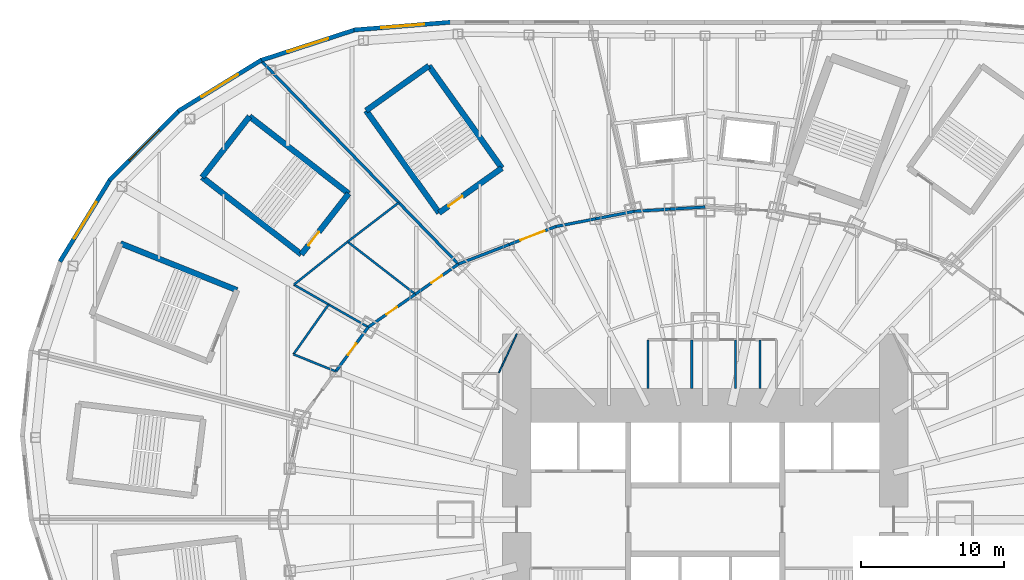
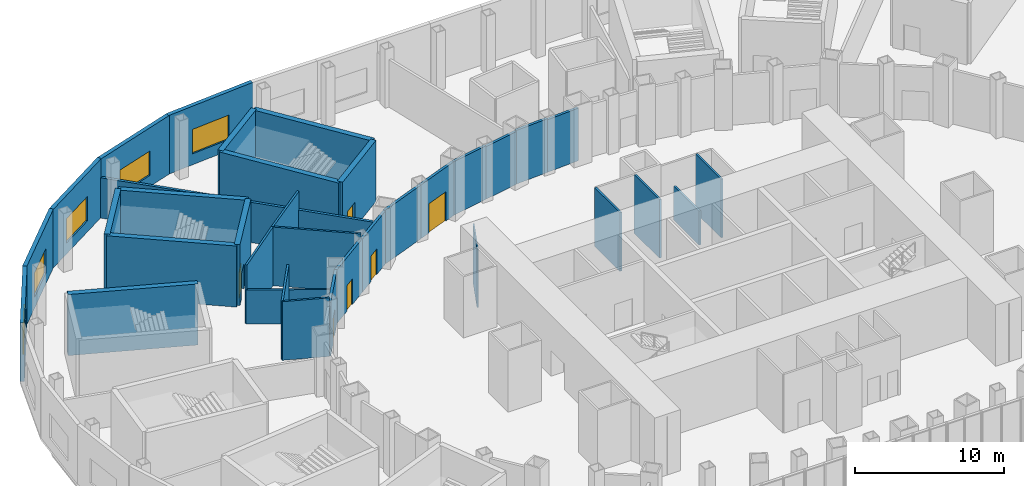
# One storey, part 15 of 73: 35 walls, 6 doors, 5 windows, 11 openings.
"""IFC4 building model written with IfcOpenShell, lengths in metres."""

from ifc_helpers import new_model, si_unit, direction, frame, frame_2d, origin, place, context, subcontext, project, spatial, rectangle, extrude, material, layer, layer_set, type_object, element, fill, save


model = new_model("IFC4")

# Units and contexts
model_context = context("Model", 3, precision=1e-05, world=origin(), true_north=direction((0.0, 1.0)))
body_context = subcontext(model_context, "Body", "Model", "MODEL_VIEW")
ifc_project = project(units=[si_unit("LENGTHUNIT", "METRE"), si_unit("AREAUNIT", "SQUARE_METRE"), si_unit("VOLUMEUNIT", "CUBIC_METRE"), si_unit("PLANEANGLEUNIT", "RADIAN"), si_unit("MASSUNIT", "GRAM", prefix="KILO")], contexts=[model_context])

# Site, building, storey
site_placement = place(None, origin())
site = spatial("IfcSite", under=ifc_project, at=site_placement, CompositionType="ELEMENT")
building_placement = place(site_placement, origin())
building = spatial("IfcBuilding", under=site, at=building_placement, Name="Lantaw Convention Tower", CompositionType="ELEMENT")
storey_placement = place(building_placement, frame((0.0, 0.0, 27.0)))
storey = spatial("IfcBuildingStorey", under=building, at=storey_placement, Name="L04", CompositionType="ELEMENT", Elevation=27.0)

# Wall
ifc_material_1 = material(Name="Gypsum board on steel studs, acoustic", Category="steel")
ifc_layer_1 = layer(ifc_material_1, 0.10009765625)
ifc_layer_set_1 = layer_set([ifc_layer_1], Name="Office partition 100")
wall_type_1 = type_object("IfcWallType", Name="Office partition 100", PredefinedType="PARTITIONING", material=ifc_layer_set_1)
wall_1_placement = place(storey_placement, frame((-13.199951171875, 13.0, 0.0), z_axis=(0.0, 0.0, 1.0), x_axis=(-0.420129824888, -0.907464010437, 0.0)))
element("IfcWall", 1, at=wall_1_placement, inside=storey, type_object=wall_type_1, Name="Office partition 100", PredefinedType="PARTITIONING", context=body_context, shape_type="SweptSolid", body=[
    extrude(rectangle(XDim=2.975341796875, YDim=0.10009765625, at=frame_2d((1.48779296875, 0.0))), origin(), (0.0, 0.0, 1.0), 4.800048828125),
])

# Wall, opening, window
ifc_material_2 = material(Name="Precast concrete panel, pale aluminium rainscreen", Category="concrete")
ifc_layer_2 = layer(ifc_material_2, 0.300048828125)
ifc_layer_set_2 = layer_set([ifc_layer_2], Name="Podium external wall 300")
wall_type_2 = type_object("IfcWallType", Name="Podium external wall 300", PredefinedType="SOLIDWALL", material=ifc_layer_set_2)
wall_2_placement = place(storey_placement, frame((-17.781494140625, 34.853759765625, 0.0), z_axis=(0.0, 0.0, 1.0), x_axis=(-0.996791084449, -0.080047073422, 0.0)))
wall_2 = element("IfcWall", 2, at=wall_2_placement, inside=storey, type_object=wall_type_2, Name="Podium facade wall", PredefinedType="SOLIDWALL", context=body_context, shape_type="SweptSolid", body=[
    extrude(rectangle(XDim=6.84716796875, YDim=0.300048828125, at=frame_2d((3.423583984375, 0.0))), origin(), (0.0, 0.0, 1.0), 4.800048828125),
])
opening_1_placement = place(wall_2_placement, frame((1.923583984375, 0.0, 0.89990234375)))
opening_1 = element("IfcOpeningElement", 3, at=opening_1_placement, cuts=wall_2, Name="Opening W3", PredefinedType="OPENING", context=body_context, shape_type="SweptSolid", body=[
    extrude(rectangle(XDim=3.0, YDim=2.0, at=frame_2d((1.5, 1.0))), frame((0.0, 0.159912109375, 0.0), z_axis=(0.0, -1.0, 0.0), x_axis=(1.0, 0.0, 0.0)), (0.0, 0.0, 1.0), 0.320068359375),
])
ifc_material_3 = material(Name="Aluminium frame, clear insulating glass", Category="aluminium")
window_type = type_object("IfcWindowType", Name="Podium window 3000x2000", PartitioningType="DOUBLE_PANEL_VERTICAL", PredefinedType="WINDOW", material=ifc_material_3)
window_1_placement = place(opening_1_placement, origin())
window_1 = element("IfcWindow", 4, at=window_1_placement, inside=storey, type_object=window_type, Name="Podium window", OverallHeight=2.0, OverallWidth=3.0, PartitioningType="SINGLE_PANEL", PredefinedType="WINDOW", context=body_context, shape_type="SweptSolid", body=[
    extrude(rectangle(XDim=3.0, YDim=2.0, at=frame_2d((1.5, 1.0))), frame((0.0, 0.030029296875, 0.0), z_axis=(0.0, -1.0, 0.0), x_axis=(1.0, 0.0, 0.0)), (0.0, 0.0, 1.0), 0.06005859375),
])
fill(opening_1, window_1)

wall_3_placement = place(storey_placement, frame((-24.49462890625, 34.327880859375, 0.0), z_axis=(0.0, 0.0, 1.0), x_axis=(-0.951140010357, -0.308759907853, 0.0)))
wall_3 = element("IfcWall", 5, at=wall_3_placement, inside=storey, type_object=wall_type_2, Name="Podium facade wall", PredefinedType="SOLIDWALL", context=body_context, shape_type="SweptSolid", body=[
    extrude(rectangle(XDim=7.041259765625, YDim=0.300048828125, at=frame_2d((3.5205078125, 0.0))), origin(), (0.0, 0.0, 1.0), 4.800048828125),
])
opening_2_placement = place(wall_3_placement, frame((2.020751953125, 0.0, 0.89990234375)))
opening_2 = element("IfcOpeningElement", 6, at=opening_2_placement, cuts=wall_3, Name="Opening W3", PredefinedType="OPENING", context=body_context, shape_type="SweptSolid", body=[
    extrude(rectangle(XDim=3.0, YDim=2.0, at=frame_2d((1.5, 1.0))), frame((0.0, 0.159912109375, 0.0), z_axis=(0.0, -1.0, 0.0), x_axis=(1.0, 0.0, 0.0)), (0.0, 0.0, 1.0), 0.320068359375),
])
window_2_placement = place(opening_2_placement, origin())
window_2 = element("IfcWindow", 7, at=window_2_placement, inside=storey, type_object=window_type, Name="Podium window", OverallHeight=2.0, OverallWidth=3.0, PartitioningType="SINGLE_PANEL", PredefinedType="WINDOW", context=body_context, shape_type="SweptSolid", body=[
    extrude(rectangle(XDim=3.0, YDim=2.0, at=frame_2d((1.5, 1.0))), frame((0.0, 0.030029296875, 0.0), z_axis=(0.0, -1.0, 0.0), x_axis=(1.0, 0.0, 0.0)), (0.0, 0.0, 1.0), 0.06005859375),
])
fill(opening_2, window_2)

wall_4_placement = place(storey_placement, frame((-31.087646484375, 32.201904296875, 0.0), z_axis=(0.0, 0.0, 1.0), x_axis=(-0.851808565246, -0.52385319334, 0.0)))
wall_4 = element("IfcWall", 8, at=wall_4_placement, inside=storey, type_object=wall_type_2, Name="Podium facade wall", PredefinedType="SOLIDWALL", context=body_context, shape_type="SweptSolid", body=[
    extrude(rectangle(XDim=6.860595703125, YDim=0.300048828125, at=frame_2d((3.43017578125, 0.0))), origin(), (0.0, 0.0, 1.0), 4.800048828125),
])
opening_3_placement = place(wall_4_placement, frame((1.930419921875, 0.0, 0.89990234375)))
opening_3 = element("IfcOpeningElement", 9, at=opening_3_placement, cuts=wall_4, Name="Opening W3", PredefinedType="OPENING", context=body_context, shape_type="SweptSolid", body=[
    extrude(rectangle(XDim=3.0, YDim=2.0, at=frame_2d((1.5, 1.0))), frame((0.0, 0.159912109375, 0.0), z_axis=(0.0, -1.0, 0.0), x_axis=(1.0, 0.0, 0.0)), (0.0, 0.0, 1.0), 0.320068359375),
])
window_3_placement = place(opening_3_placement, origin())
window_3 = element("IfcWindow", 10, at=window_3_placement, inside=storey, type_object=window_type, Name="Podium window", OverallHeight=2.0, OverallWidth=3.0, PartitioningType="SINGLE_PANEL", PredefinedType="WINDOW", context=body_context, shape_type="SweptSolid", body=[
    extrude(rectangle(XDim=3.0, YDim=2.0, at=frame_2d((1.5, 1.0))), frame((0.0, 0.030029296875, 0.0), z_axis=(0.0, -1.0, 0.0), x_axis=(1.0, 0.0, 0.0)), (0.0, 0.0, 1.0), 0.06005859375),
])
fill(opening_3, window_3)

wall_5_placement = place(storey_placement, frame((-36.841552734375, 28.678955078125, 0.0), z_axis=(0.0, 0.0, 1.0), x_axis=(-0.705874614645, -0.708336804352, 0.0)))
wall_5 = element("IfcWall", 11, at=wall_5_placement, inside=storey, type_object=wall_type_2, Name="Podium facade wall", PredefinedType="SOLIDWALL", context=body_context, shape_type="SweptSolid", body=[
    extrude(rectangle(XDim=6.94091796875, YDim=0.300048828125, at=frame_2d((3.470458984375, 0.0))), origin(), (0.0, 0.0, 1.0), 4.800048828125),
])
opening_4_placement = place(wall_5_placement, frame((1.970458984375, 0.0, 0.89990234375)))
opening_4 = element("IfcOpeningElement", 12, at=opening_4_placement, cuts=wall_5, Name="Opening W3", PredefinedType="OPENING", context=body_context, shape_type="SweptSolid", body=[
    extrude(rectangle(XDim=3.0, YDim=2.0, at=frame_2d((1.5, 1.0))), frame((0.0, 0.159912109375, 0.0), z_axis=(0.0, -1.0, 0.0), x_axis=(1.0, 0.0, 0.0)), (0.0, 0.0, 1.0), 0.320068359375),
])
window_4_placement = place(opening_4_placement, origin())
window_4 = element("IfcWindow", 13, at=window_4_placement, inside=storey, type_object=window_type, Name="Podium window", OverallHeight=2.0, OverallWidth=3.0, PartitioningType="SINGLE_PANEL", PredefinedType="WINDOW", context=body_context, shape_type="SweptSolid", body=[
    extrude(rectangle(XDim=3.0, YDim=2.0, at=frame_2d((1.5, 1.0))), frame((0.0, 0.030029296875, 0.0), z_axis=(0.0, -1.0, 0.0), x_axis=(1.0, 0.0, 0.0)), (0.0, 0.0, 1.0), 0.06005859375),
])
fill(opening_4, window_4)

wall_6_placement = place(storey_placement, frame((-41.670166015625, 23.852294921875, 0.0), z_axis=(0.0, 0.0, 1.0), x_axis=(-0.52225340952, -0.852790347181, 0.0)))
wall_6 = element("IfcWall", 14, at=wall_6_placement, inside=storey, type_object=wall_type_2, Name="Podium facade wall", PredefinedType="SOLIDWALL", context=body_context, shape_type="SweptSolid", body=[
    extrude(rectangle(XDim=6.77099609375, YDim=0.300048828125, at=frame_2d((3.385498046875, 0.0))), origin(), (0.0, 0.0, 1.0), 4.800048828125),
])
opening_5_placement = place(wall_6_placement, frame((1.885498046875, 0.0, 0.89990234375)))
opening_5 = element("IfcOpeningElement", 15, at=opening_5_placement, cuts=wall_6, Name="Opening W3", PredefinedType="OPENING", context=body_context, shape_type="SweptSolid", body=[
    extrude(rectangle(XDim=3.0, YDim=2.0, at=frame_2d((1.5, 1.0))), frame((0.0, 0.159912109375, 0.0), z_axis=(0.0, -1.0, 0.0), x_axis=(1.0, 0.0, 0.0)), (0.0, 0.0, 1.0), 0.320068359375),
])
window_5_placement = place(opening_5_placement, origin())
window_5 = element("IfcWindow", 16, at=window_5_placement, inside=storey, type_object=window_type, Name="Podium window", OverallHeight=2.0, OverallWidth=3.0, PartitioningType="SINGLE_PANEL", PredefinedType="WINDOW", context=body_context, shape_type="SweptSolid", body=[
    extrude(rectangle(XDim=3.0, YDim=2.0, at=frame_2d((1.5, 1.0))), frame((0.0, 0.030029296875, 0.0), z_axis=(0.0, -1.0, 0.0), x_axis=(1.0, 0.0, 0.0)), (0.0, 0.0, 1.0), 0.06005859375),
])
fill(opening_5, window_5)

# Walls
ifc_material_4 = material(Name="Concrete blockwork", Category="masonry")
ifc_layer_3 = layer(ifc_material_4, 0.199951171875)
ifc_layer_set_3 = layer_set([ifc_layer_3], Name="Podium partition 200")
wall_type_3 = type_object("IfcWallType", Name="Podium partition 200", PredefinedType="SOLIDWALL", material=ifc_layer_set_3)
wall_7_placement = place(storey_placement, frame((0.0, 21.89990234375, 0.0), z_axis=(0.0, 0.0, 1.0), x_axis=(-0.998175328335, -0.060382231685, 0.0)))
element("IfcWall", 17, at=wall_7_placement, inside=storey, type_object=wall_type_3, Name="Podium partition 200", PredefinedType="SOLIDWALL", context=body_context, shape_type="SweptSolid", body=[
    extrude(rectangle(XDim=2.482666015625, YDim=0.199951171875, at=frame_2d((1.2412109375, 0.0))), origin(), (0.0, 0.0, 1.0), 4.30224609375),
])
wall_8_placement = place(storey_placement, frame((-2.47802734375, 21.75, 0.0), z_axis=(0.0, 0.0, 1.0), x_axis=(-0.998172405641, -0.060430527186, 0.0)))
element("IfcWall", 18, at=wall_8_placement, inside=storey, type_object=wall_type_3, Name="Podium partition 200", PredefinedType="SOLIDWALL", context=body_context, shape_type="SweptSolid", body=[
    extrude(rectangle(XDim=2.512939453125, YDim=0.199951171875, at=frame_2d((1.25634765625, 0.0))), origin(), (0.0, 0.0, 1.0), 4.3935546875),
])
wall_9_placement = place(storey_placement, frame((-4.986328125, 21.59814453125, 0.0), z_axis=(0.0, 0.0, 1.0), x_axis=(-0.981637218105, -0.190757364289, 0.0)))
element("IfcWall", 19, at=wall_9_placement, inside=storey, type_object=wall_type_3, Name="Podium partition 200", PredefinedType="SOLIDWALL", context=body_context, shape_type="SweptSolid", body=[
    extrude(rectangle(XDim=2.735107421875, YDim=0.199951171875, at=frame_2d((1.36767578125, 0.0))), origin(), (0.0, 0.0, 1.0), 4.30224609375),
])
wall_10_placement = place(storey_placement, frame((-7.671142578125, 21.076416015625, 0.0), z_axis=(0.0, 0.0, 1.0), x_axis=(-0.98163593748, -0.190763954266, 0.0)))
element("IfcWall", 20, at=wall_10_placement, inside=storey, type_object=wall_type_3, Name="Podium partition 200", PredefinedType="SOLIDWALL", context=body_context, shape_type="SweptSolid", body=[
    extrude(rectangle(XDim=2.84375, YDim=0.199951171875, at=frame_2d((1.421875, 0.0))), origin(), (0.0, 0.0, 1.0), 4.3935546875),
])

# Wall, opening, door
wall_11_placement = place(storey_placement, frame((-10.462646484375, 20.533935546875, 0.0), z_axis=(0.0, 0.0, 1.0), x_axis=(-0.933241815012, -0.359248820058, 0.0)))
wall_11 = element("IfcWall", 21, at=wall_11_placement, inside=storey, type_object=wall_type_3, Name="Podium partition 200", PredefinedType="SOLIDWALL", context=body_context, shape_type="SweptSolid", body=[
    extrude(rectangle(XDim=3.517578125, YDim=0.199951171875, at=frame_2d((1.7587890625, 0.0))), origin(), (0.0, 0.0, 1.0), 4.3935546875),
])
opening_6_placement = place(wall_11_placement, frame((0.85888671875, 0.0, 0.0)))
opening_6 = element("IfcOpeningElement", 22, at=opening_6_placement, cuts=wall_11, Name="Opening L04.15", PredefinedType="OPENING", context=body_context, shape_type="SweptSolid", body=[
    extrude(rectangle(XDim=1.800048828125, YDim=2.39990234375, at=frame_2d((0.89990234375, 1.199951171875))), frame((0.0, 0.10986328125, 0.0), z_axis=(0.0, -1.0, 0.0), x_axis=(1.0, 0.0, 0.0)), (0.0, 0.0, 1.0), 0.219970703125),
])
ifc_material_5 = material(Name="Timber", Category="wood")
door_type_1 = type_object("IfcDoorType", Name="Hall double door 1800", OperationType="DOUBLE_DOOR_DOUBLE_SWING", PredefinedType="DOOR", material=ifc_material_5)
door_1_placement = place(opening_6_placement, origin())
door_1 = element("IfcDoor", 23, at=door_1_placement, inside=storey, type_object=door_type_1, Name="Banquet kitchen door", OperationType="DOUBLE_DOOR_DOUBLE_SWING", OverallHeight=2.39990234375, OverallWidth=1.800048828125, PredefinedType="DOOR", context=body_context, shape_type="SweptSolid", body=[
    extrude(rectangle(XDim=1.800048828125, YDim=2.39990234375, at=frame_2d((0.89990234375, 1.199951171875))), frame((0.0, 0.02490234375, 0.0), z_axis=(0.0, -1.0, 0.0), x_axis=(1.0, 0.0, 0.0)), (0.0, 0.0, 1.0), 0.050048828125),
])
fill(opening_6, door_1)

# Wall
wall_12_placement = place(storey_placement, frame((-13.745361328125, 19.270263671875, 0.0), z_axis=(0.0, 0.0, 1.0), x_axis=(-0.933224646415, -0.359293416754, 0.0)))
element("IfcWall", 24, at=wall_12_placement, inside=storey, type_object=wall_type_3, Name="Podium partition 200", PredefinedType="SOLIDWALL", context=body_context, shape_type="SweptSolid", body=[
    extrude(rectangle(XDim=3.799072265625, YDim=0.199951171875, at=frame_2d((1.8994140625, 0.0))), origin(), (0.0, 0.0, 1.0), 4.3935546875),
])

# Wall, opening, door
wall_13_placement = place(storey_placement, frame((-17.290771484375, 17.9052734375, 0.0), z_axis=(0.0, 0.0, 1.0), x_axis=(-0.819409395821, -0.573208724672, 0.0)))
wall_13 = element("IfcWall", 25, at=wall_13_placement, inside=storey, type_object=wall_type_3, Name="Podium partition 200", PredefinedType="SOLIDWALL", context=body_context, shape_type="SweptSolid", body=[
    extrude(rectangle(XDim=3.682861328125, YDim=0.199951171875, at=frame_2d((1.84130859375, 0.0))), origin(), (0.0, 0.0, 1.0), 4.337646484375),
])
opening_7_placement = place(wall_13_placement, frame((1.391357421875, 0.0, 0.0)))
opening_7 = element("IfcOpeningElement", 26, at=opening_7_placement, cuts=wall_13, Name="Opening L04.16", PredefinedType="OPENING", context=body_context, shape_type="SweptSolid", body=[
    extrude(rectangle(XDim=0.89990234375, YDim=2.10009765625, at=frame_2d((0.449951171875, 1.050048828125))), frame((0.0, 0.10986328125, 0.0), z_axis=(0.0, -1.0, 0.0), x_axis=(1.0, 0.0, 0.0)), (0.0, 0.0, 1.0), 0.219970703125),
])
door_type_2 = type_object("IfcDoorType", Name="WC door 900", OperationType="SINGLE_SWING_LEFT", PredefinedType="DOOR", material=ifc_material_5)
door_2_placement = place(opening_7_placement, origin())
door_2 = element("IfcDoor", 27, at=door_2_placement, inside=storey, type_object=door_type_2, Name="Male WC door", OperationType="SINGLE_SWING_LEFT", OverallHeight=2.10009765625, OverallWidth=0.89990234375, PredefinedType="DOOR", context=body_context, shape_type="SweptSolid", body=[
    extrude(rectangle(XDim=0.89990234375, YDim=2.10009765625, at=frame_2d((0.449951171875, 1.050048828125))), frame((0.0, 0.02490234375, 0.0), z_axis=(0.0, -1.0, 0.0), x_axis=(1.0, 0.0, 0.0)), (0.0, 0.0, 1.0), 0.050048828125),
])
fill(opening_7, door_2)

wall_14_placement = place(storey_placement, frame((-20.30859375, 15.794189453125, 0.0), z_axis=(0.0, 0.0, 1.0), x_axis=(-0.819442856133, -0.573160889744, 0.0)))
wall_14 = element("IfcWall", 28, at=wall_14_placement, inside=storey, type_object=wall_type_3, Name="Podium partition 200", PredefinedType="SOLIDWALL", context=body_context, shape_type="SweptSolid", body=[
    extrude(rectangle(XDim=4.022705078125, YDim=0.199951171875, at=frame_2d((2.01123046875, 0.0))), origin(), (0.0, 0.0, 1.0), 4.3935546875),
])
opening_8_placement = place(wall_14_placement, frame((1.561279296875, 0.0, 0.0)))
opening_8 = element("IfcOpeningElement", 29, at=opening_8_placement, cuts=wall_14, Name="Opening L04.17", PredefinedType="OPENING", context=body_context, shape_type="SweptSolid", body=[
    extrude(rectangle(XDim=0.89990234375, YDim=2.10009765625, at=frame_2d((0.449951171875, 1.050048828125))), frame((0.0, 0.10986328125, 0.0), z_axis=(0.0, -1.0, 0.0), x_axis=(1.0, 0.0, 0.0)), (0.0, 0.0, 1.0), 0.219970703125),
])
door_3_placement = place(opening_8_placement, origin())
door_3 = element("IfcDoor", 30, at=door_3_placement, inside=storey, type_object=door_type_2, Name="Female WC door", OperationType="SINGLE_SWING_LEFT", OverallHeight=2.10009765625, OverallWidth=0.89990234375, PredefinedType="DOOR", context=body_context, shape_type="SweptSolid", body=[
    extrude(rectangle(XDim=0.89990234375, YDim=2.10009765625, at=frame_2d((0.449951171875, 1.050048828125))), frame((0.0, 0.02490234375, 0.0), z_axis=(0.0, -1.0, 0.0), x_axis=(1.0, 0.0, 0.0)), (0.0, 0.0, 1.0), 0.050048828125),
])
fill(opening_8, door_3)

wall_15_placement = place(storey_placement, frame((-23.60498046875, 13.488525390625, 0.0), z_axis=(0.0, 0.0, 1.0), x_axis=(-0.591286566758, -0.806461527893, 0.0)))
wall_15 = element("IfcWall", 31, at=wall_15_placement, inside=storey, type_object=wall_type_3, Name="Podium partition 200", PredefinedType="SOLIDWALL", context=body_context, shape_type="SweptSolid", body=[
    extrude(rectangle(XDim=3.843994140625, YDim=0.199951171875, at=frame_2d((1.921875, 0.0))), origin(), (0.0, 0.0, 1.0), 4.3935546875),
])
opening_9_placement = place(wall_15_placement, frame((1.422119140625, 0.0, 0.0)))
opening_9 = element("IfcOpeningElement", 32, at=opening_9_placement, cuts=wall_15, Name="Opening L04.18", PredefinedType="OPENING", context=body_context, shape_type="SweptSolid", body=[
    extrude(rectangle(XDim=1.0, YDim=2.10009765625, at=frame_2d((0.5, 1.050048828125))), frame((0.0, 0.10986328125, 0.0), z_axis=(0.0, -1.0, 0.0), x_axis=(1.0, 0.0, 0.0)), (0.0, 0.0, 1.0), 0.219970703125),
])
door_type_3 = type_object("IfcDoorType", Name="Accessible WC door 1000", OperationType="SINGLE_SWING_LEFT", PredefinedType="DOOR", material=ifc_material_5)
door_4_placement = place(opening_9_placement, origin())
door_4 = element("IfcDoor", 33, at=door_4_placement, inside=storey, type_object=door_type_3, Name="Accessible WC door", OperationType="SINGLE_SWING_LEFT", OverallHeight=2.10009765625, OverallWidth=1.0, PredefinedType="DOOR", context=body_context, shape_type="SweptSolid", body=[
    extrude(rectangle(XDim=1.0, YDim=2.10009765625, at=frame_2d((0.5, 1.050048828125))), frame((0.0, 0.02490234375, 0.0), z_axis=(0.0, -1.0, 0.0), x_axis=(1.0, 0.0, 0.0)), (0.0, 0.0, 1.0), 0.050048828125),
])
fill(opening_9, door_4)

# Walls
wall_16_placement = place(storey_placement, frame((-17.290771484375, 17.9052734375, 0.0), z_axis=(0.0, 0.0, 1.0), x_axis=(-0.696460684513, 0.717594951855, 0.0)))
element("IfcWall", 34, at=wall_16_placement, inside=storey, type_object=wall_type_3, Name="Podium partition 200", PredefinedType="SOLIDWALL", context=body_context, shape_type="SweptSolid", body=[
    extrude(rectangle(XDim=19.880859375, YDim=0.199951171875, at=frame_2d((9.9404296875, 0.0))), origin(), (0.0, 0.0, 1.0), 3.300048828125),
])
ifc_material_6 = material(Name="Concrete C40/50, stair core", Category="concrete")
ifc_layer_4 = layer(ifc_material_6, 0.39990234375)
ifc_layer_set_4 = layer_set([ifc_layer_4], Name="Stair enclosure wall 400 EI 120")
wall_type_4 = type_object("IfcWallType", Name="Stair enclosure wall 400 EI 120", PredefinedType="SHEAR", material=ifc_layer_set_4)
wall_17_placement = place(storey_placement, frame((-14.2509765625, 24.628662109375, 0.0), z_axis=(0.0, 0.0, 1.0), x_axis=(-0.580705313356, 0.814113836659, 0.0)))
element("IfcWall", 35, at=wall_17_placement, inside=storey, type_object=wall_type_4, Name="Stair enclosure wall", PredefinedType="SHEAR", context=body_context, shape_type="SweptSolid", body=[
    extrude(rectangle(XDim=8.7998046875, YDim=0.39990234375, at=frame_2d((4.39990234375, 0.0))), origin(), (0.0, 0.0, 1.0), 5.0),
])
wall_18_placement = place(storey_placement, frame((-19.361083984375, 31.792724609375, 0.0), z_axis=(0.0, 0.0, 1.0), x_axis=(-0.814121252423, -0.580694916762, 0.0)))
element("IfcWall", 36, at=wall_18_placement, inside=storey, type_object=wall_type_4, Name="Stair enclosure wall", PredefinedType="SHEAR", context=body_context, shape_type="SweptSolid", body=[
    extrude(rectangle(XDim=5.39990234375, YDim=0.39990234375, at=frame_2d((2.699951171875, 0.0))), origin(), (0.0, 0.0, 1.0), 5.0),
])
wall_19_placement = place(storey_placement, frame((-23.75732421875, 28.656982421875, 0.0), z_axis=(0.0, 0.0, 1.0), x_axis=(0.580705313356, -0.814113836659, 0.0)))
element("IfcWall", 37, at=wall_19_placement, inside=storey, type_object=wall_type_4, Name="Stair enclosure wall", PredefinedType="SHEAR", context=body_context, shape_type="SweptSolid", body=[
    extrude(rectangle(XDim=8.7998046875, YDim=0.39990234375, at=frame_2d((4.39990234375, 0.0))), origin(), (0.0, 0.0, 1.0), 5.0),
])

# Wall, opening, door
wall_20_placement = place(storey_placement, frame((-18.647216796875, 21.492919921875, 0.0), z_axis=(0.0, 0.0, 1.0), x_axis=(0.814121252423, 0.580694916762, 0.0)))
wall_20 = element("IfcWall", 38, at=wall_20_placement, inside=storey, type_object=wall_type_4, Name="Stair enclosure wall", PredefinedType="SHEAR", context=body_context, shape_type="SweptSolid", body=[
    extrude(rectangle(XDim=5.39990234375, YDim=0.39990234375, at=frame_2d((2.699951171875, 0.0))), origin(), (0.0, 0.0, 1.0), 5.0),
])
opening_10_placement = place(wall_20_placement, frame((0.800048828125, 0.0, 0.0)))
opening_10 = element("IfcOpeningElement", 39, at=opening_10_placement, cuts=wall_20, Name="Opening L04.P6", PredefinedType="OPENING", context=body_context, shape_type="SweptSolid", body=[
    extrude(rectangle(XDim=1.199951171875, YDim=2.10009765625, at=frame_2d((0.60009765625, 1.050048828125))), frame((0.0, 0.2099609375, 0.0), z_axis=(0.0, -1.0, 0.0), x_axis=(1.0, 0.0, 0.0)), (0.0, 0.0, 1.0), 0.419921875),
])
ifc_material_7 = material(Name="Steel, fire rated", Category="steel")
door_type_4 = type_object("IfcDoorType", Name="Stair door FD90", OperationType="SINGLE_SWING_RIGHT", PredefinedType="DOOR", material=ifc_material_7)
door_5_placement = place(opening_10_placement, origin())
door_5 = element("IfcDoor", 40, at=door_5_placement, inside=storey, type_object=door_type_4, Name="Exit stair door", OperationType="SINGLE_SWING_RIGHT", OverallHeight=2.10009765625, OverallWidth=1.199951171875, PredefinedType="DOOR", context=body_context, shape_type="SweptSolid", body=[
    extrude(rectangle(XDim=1.199951171875, YDim=2.10009765625, at=frame_2d((0.60009765625, 1.050048828125))), frame((0.0, 0.02490234375, 0.0), z_axis=(0.0, -1.0, 0.0), x_axis=(1.0, 0.0, 0.0)), (0.0, 0.0, 1.0), 0.050048828125),
])
fill(opening_10, door_5)

# Walls
wall_21_placement = place(storey_placement, frame((-24.9775390625, 22.845703125, 0.0), z_axis=(0.0, 0.0, 1.0), x_axis=(-0.78938060008, 0.613904119726, 0.0)))
element("IfcWall", 41, at=wall_21_placement, inside=storey, type_object=wall_type_4, Name="Stair enclosure wall", PredefinedType="SHEAR", context=body_context, shape_type="SweptSolid", body=[
    extrude(rectangle(XDim=8.800048828125, YDim=0.39990234375, at=frame_2d((4.39990234375, 0.0))), origin(), (0.0, 0.0, 1.0), 5.0),
])
wall_22_placement = place(storey_placement, frame((-31.924072265625, 28.248046875, 0.0), z_axis=(0.0, 0.0, 1.0), x_axis=(-0.613912443548, -0.789374126544, 0.0)))
element("IfcWall", 42, at=wall_22_placement, inside=storey, type_object=wall_type_4, Name="Stair enclosure wall", PredefinedType="SHEAR", context=body_context, shape_type="SweptSolid", body=[
    extrude(rectangle(XDim=5.400146484375, YDim=0.39990234375, at=frame_2d((2.7001953125, 0.0))), origin(), (0.0, 0.0, 1.0), 5.0),
])
wall_23_placement = place(storey_placement, frame((-35.2392578125, 23.9853515625, 0.0), z_axis=(0.0, 0.0, 1.0), x_axis=(0.78938060008, -0.613904119726, 0.0)))
element("IfcWall", 43, at=wall_23_placement, inside=storey, type_object=wall_type_4, Name="Stair enclosure wall", PredefinedType="SHEAR", context=body_context, shape_type="SweptSolid", body=[
    extrude(rectangle(XDim=8.800048828125, YDim=0.39990234375, at=frame_2d((4.39990234375, 0.0))), origin(), (0.0, 0.0, 1.0), 5.0),
])

# Wall, opening, door
wall_24_placement = place(storey_placement, frame((-28.292724609375, 18.5830078125, 0.0), z_axis=(0.0, 0.0, 1.0), x_axis=(0.613912443548, 0.789374126544, 0.0)))
wall_24 = element("IfcWall", 44, at=wall_24_placement, inside=storey, type_object=wall_type_4, Name="Stair enclosure wall", PredefinedType="SHEAR", context=body_context, shape_type="SweptSolid", body=[
    extrude(rectangle(XDim=5.400146484375, YDim=0.39990234375, at=frame_2d((2.7001953125, 0.0))), origin(), (0.0, 0.0, 1.0), 5.0),
])
opening_11_placement = place(wall_24_placement, frame((0.800048828125, 0.0, 0.0)))
opening_11 = element("IfcOpeningElement", 45, at=opening_11_placement, cuts=wall_24, Name="Opening L04.P7", PredefinedType="OPENING", context=body_context, shape_type="SweptSolid", body=[
    extrude(rectangle(XDim=1.199951171875, YDim=2.10009765625, at=frame_2d((0.60009765625, 1.050048828125))), frame((0.0, 0.2099609375, 0.0), z_axis=(0.0, -1.0, 0.0), x_axis=(1.0, 0.0, 0.0)), (0.0, 0.0, 1.0), 0.419921875),
])
door_6_placement = place(opening_11_placement, origin())
door_6 = element("IfcDoor", 46, at=door_6_placement, inside=storey, type_object=door_type_4, Name="Exit stair door", OperationType="SINGLE_SWING_RIGHT", OverallHeight=2.10009765625, OverallWidth=1.199951171875, PredefinedType="DOOR", context=body_context, shape_type="SweptSolid", body=[
    extrude(rectangle(XDim=1.199951171875, YDim=2.10009765625, at=frame_2d((0.60009765625, 1.050048828125))), frame((0.0, 0.02490234375, 0.0), z_axis=(0.0, -1.0, 0.0), x_axis=(1.0, 0.0, 0.0)), (0.0, 0.0, 1.0), 0.050048828125),
])
fill(opening_11, door_6)

# Walls
wall_25_placement = place(storey_placement, frame((-32.800048828125, 16.07666015625, 0.0), z_axis=(0.0, 0.0, 1.0), x_axis=(-0.92801678004, 0.372538395288, 0.0)))
element("IfcWall", 47, at=wall_25_placement, inside=storey, type_object=wall_type_4, Name="Stair enclosure wall", PredefinedType="SHEAR", context=body_context, shape_type="SweptSolid", body=[
    extrude(rectangle(XDim=8.800048828125, YDim=0.39990234375, at=frame_2d((4.39990234375, 0.0))), origin(), (0.0, 0.0, 1.0), 5.0),
])
ifc_layer_5 = layer(ifc_material_4, 0.14990234375)
ifc_layer_set_5 = layer_set([ifc_layer_5], Name="WC wall 150")
wall_type_5 = type_object("IfcWallType", Name="WC wall 150", PredefinedType="SOLIDWALL", material=ifc_layer_set_5)
wall_26_placement = place(storey_placement, frame((-21.469482421875, 22.210693359375, 0.0), z_axis=(0.0, 0.0, 1.0), x_axis=(-0.794122703503, -0.607757461313, 0.0)))
element("IfcWall", 48, at=wall_26_placement, inside=storey, type_object=wall_type_5, Name="WC wall 150", PredefinedType="SOLIDWALL", context=body_context, shape_type="SweptSolid", body=[
    extrude(rectangle(XDim=4.51025390625, YDim=0.14990234375, at=frame_2d((2.255126953125, 0.0))), origin(), (0.0, 0.0, 1.0), 4.800048828125),
])
wall_27_placement = place(storey_placement, frame((-20.30859375, 15.794189453125, 0.0), z_axis=(0.0, 0.0, 1.0), x_axis=(-0.790437708207, 0.61254243073, 0.0)))
element("IfcWall", 49, at=wall_27_placement, inside=storey, type_object=wall_type_5, Name="WC wall 150", PredefinedType="SOLIDWALL", context=body_context, shape_type="SweptSolid", body=[
    extrude(rectangle(XDim=6.0, YDim=0.14990234375, at=frame_2d((3.0, 0.0))), origin(), (0.0, 0.0, 1.0), 4.800048828125),
])
wall_28_placement = place(storey_placement, frame((-25.05126953125, 19.469482421875, 0.0), z_axis=(0.0, 0.0, 1.0), x_axis=(-0.781204641684, -0.624275025779, 0.0)))
element("IfcWall", 50, at=wall_28_placement, inside=storey, type_object=wall_type_5, Name="WC wall 150", PredefinedType="SOLIDWALL", context=body_context, shape_type="SweptSolid", body=[
    extrude(rectangle(XDim=4.8212890625, YDim=0.14990234375, at=frame_2d((2.41064453125, 0.0))), origin(), (0.0, 0.0, 1.0), 4.800048828125),
])
wall_29_placement = place(storey_placement, frame((-23.60498046875, 13.488525390625, 0.0), z_axis=(0.0, 0.0, 1.0), x_axis=(-0.868778495598, 0.49520089417, 0.0)))
element("IfcWall", 51, at=wall_29_placement, inside=storey, type_object=wall_type_5, Name="WC wall 150", PredefinedType="SOLIDWALL", context=body_context, shape_type="SweptSolid", body=[
    extrude(rectangle(XDim=6.0, YDim=0.14990234375, at=frame_2d((3.0, 0.0))), origin(), (0.0, 0.0, 1.0), 2.800048828125),
])
wall_30_placement = place(storey_placement, frame((-26.385009765625, 15.0732421875, 0.0), z_axis=(0.0, 0.0, 1.0), x_axis=(-0.576153892924, -0.81734123331, 0.0)))
element("IfcWall", 52, at=wall_30_placement, inside=storey, type_object=wall_type_5, Name="WC wall 150", PredefinedType="SOLIDWALL", context=body_context, shape_type="SweptSolid", body=[
    extrude(rectangle(XDim=4.274658203125, YDim=0.14990234375, at=frame_2d((2.13720703125, 0.0))), origin(), (0.0, 0.0, 1.0), 4.800048828125),
])
wall_31_placement = place(storey_placement, frame((-25.8779296875, 10.388427734375, 0.0), z_axis=(0.0, 0.0, 1.0), x_axis=(-0.928160641083, 0.372179827966, 0.0)))
element("IfcWall", 53, at=wall_31_placement, inside=storey, type_object=wall_type_5, Name="WC wall 150", PredefinedType="SOLIDWALL", context=body_context, shape_type="SweptSolid", body=[
    extrude(rectangle(XDim=3.199951171875, YDim=0.14990234375, at=frame_2d((1.60009765625, 0.0))), origin(), (0.0, 0.0, 1.0), 4.800048828125),
])
for number, where, z_axis, x_axis, name in (
    (54, (-4.0, 9.199951171875, 0.0), (0.0, 0.0, 1.0), (0.0, 1.0, 0.0), "WC wall 150"),
    (55, (-0.93994140625, 9.199951171875, 0.0), (0.0, 0.0, 1.0), (0.0, 1.0, 0.0), "WC wall 150"),
):
    element("IfcWall", number, at=place(storey_placement, frame(where, z_axis=z_axis, x_axis=x_axis)), inside=storey, type_object=wall_type_5, Name=name, PredefinedType="SOLIDWALL", context=body_context, shape_type="SweptSolid", body=[
        extrude(rectangle(XDim=3.400146484375, YDim=0.14990234375, at=frame_2d((1.7001953125, 0.0))), origin(), (0.0, 0.0, 1.0), 4.800048828125),
    ])
wall_32_placement = place(storey_placement, frame((2.1201171875, 9.199951171875, 0.0), z_axis=(0.0, 0.0, 1.0), x_axis=(0.0, 1.0, 0.0)))
element("IfcWall", 56, at=wall_32_placement, inside=storey, type_object=wall_type_5, Name="WC wall 150", PredefinedType="SOLIDWALL", context=body_context, shape_type="SweptSolid", body=[
    extrude(rectangle(XDim=3.400146484375, YDim=0.14990234375, at=frame_2d((1.7001953125, 0.0))), origin(), (0.0, 0.0, 1.0), 2.800048828125),
])
wall_33_placement = place(storey_placement, frame((3.830078125, 9.199951171875, 0.0), z_axis=(0.0, 0.0, 1.0), x_axis=(0.0, 1.0, 0.0)))
element("IfcWall", 57, at=wall_33_placement, inside=storey, type_object=wall_type_5, Name="WC wall 150", PredefinedType="SOLIDWALL", context=body_context, shape_type="SweptSolid", body=[
    extrude(rectangle(XDim=3.400146484375, YDim=0.14990234375, at=frame_2d((1.7001953125, 0.0))), origin(), (0.0, 0.0, 1.0), 4.800048828125),
])

save(model, "model.ifc")
